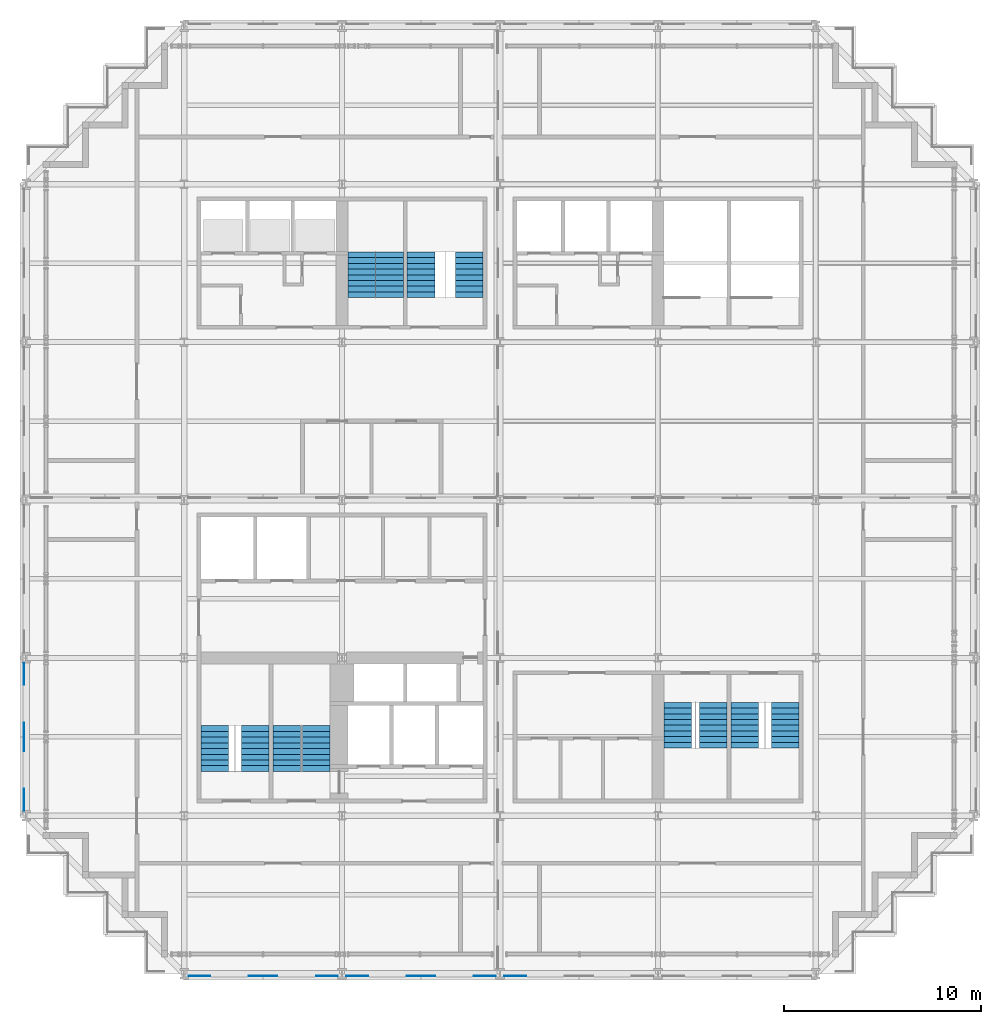
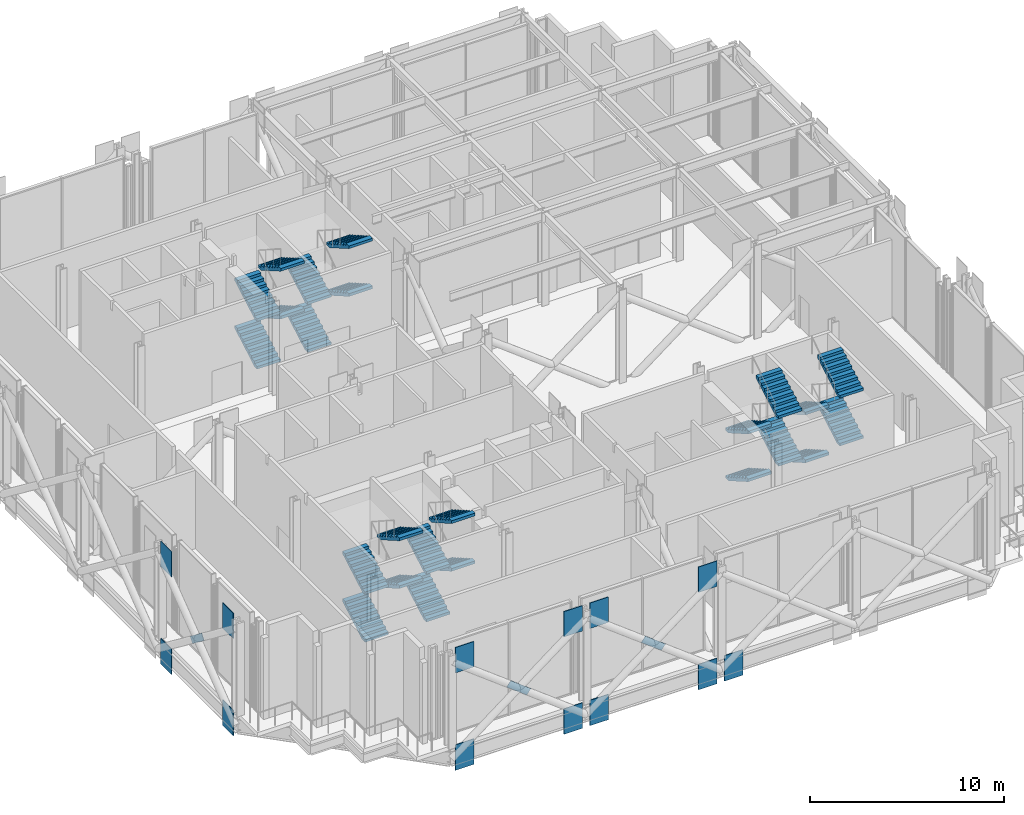
# One storey, part 21 of 25: 24 stair flights, 16 discrete accessories, 6 elements without a shape of their own.
"""IFC4 building model written with IfcOpenShell, lengths in metres."""

from ifc_helpers import new_model, si_unit, direction, frame, origin, origin_2d, place, context, subcontext, project, spatial, polyline, rectangle, outline, extrude, material, material_profile, profile_set, type_object, element, aggregate, save


model = new_model("IFC4")

# Units and contexts
model_context = context("Model", 3, precision=1e-05, world=origin(), true_north=direction((0.0, 1.0)))
body_context = subcontext(model_context, "Body", "Model", "MODEL_VIEW")
ifc_project = project(units=[si_unit("LENGTHUNIT", "METRE"), si_unit("AREAUNIT", "SQUARE_METRE"), si_unit("VOLUMEUNIT", "CUBIC_METRE"), si_unit("PLANEANGLEUNIT", "RADIAN"), si_unit("MASSUNIT", "GRAM", prefix="KILO")], contexts=[model_context])

# Site, building, storey
site_placement = place(None, origin())
site = spatial("IfcSite", under=ifc_project, at=site_placement, CompositionType="ELEMENT")
building_placement = place(site_placement, origin())
building = spatial("IfcBuilding", under=site, at=building_placement, Name="Immortelle Media Tower", CompositionType="ELEMENT")
storey_placement = place(building_placement, frame((0.0, 0.0, 114.0)))
storey = spatial("IfcBuildingStorey", under=building, at=storey_placement, Name="L22", CompositionType="ELEMENT", Elevation=114.0)

# Stair, stair flights
ifc_material_1 = material(Name="Steel ASTM A992 Gr 50", Category="steel")
stair_type = type_object("IfcStairType", Name="Stair with flights", PredefinedType="DOUBLE_RETURN_STAIR", material=ifc_material_1)
stair_1_placement = place(storey_placement, origin())
stair_1 = element("IfcStair", 1, at=stair_1_placement, inside=storey, type_object=stair_type, Name="Exit stair SW1", PredefinedType="DOUBLE_RETURN_STAIR")
stair_flight_type = type_object("IfcStairFlightType", Name="Stair flight 1400", PredefinedType="STRAIGHT", material=ifc_material_1)
stair_flight_1_placement = place(storey_placement, frame((9.550048828125, 10.25, 0.0), z_axis=(0.0, 0.0, 1.0), x_axis=(0.0, 1.0, 0.0)))
stair_flight_1 = element("IfcStairFlight", 2, at=stair_flight_1_placement, type_object=stair_flight_type, Name="ST SW1 flight 1", NumberOfRisers=9, NumberOfTreads=8, PredefinedType="STRAIGHT", RiserHeight=0.166666667, TreadLength=0.29, context=body_context, shape_type="SweptSolid", body=[
    extrude(outline(polyline([(0.0, 0.0), (0.0, 0.166748046875), (0.2900390625, 0.166748046875), (0.2900390625, 0.333251953125), (0.580078125, 0.333251953125), (0.580078125, 0.5), (0.8701171875, 0.5), (0.8701171875, 0.666748046875), (1.159912109375, 0.666748046875), (1.159912109375, 0.833251953125), (1.449951171875, 0.833251953125), (1.449951171875, 1.0), (1.739990234375, 1.0), (1.739990234375, 1.166748046875), (2.030029296875, 1.166748046875), (2.030029296875, 1.333251953125), (2.320068359375, 1.333251953125), (2.320068359375, 1.5), (2.320068359375, 1.160400390625), (0.30078125, 0.0), (0.0, 0.0)])), frame((0.0, 0.699951171875, 0.0), z_axis=(0.0, -1.0, 0.0), x_axis=(1.0, 0.0, 0.0)), (0.0, 0.0, 1.0), 1.39990234375),
])
stair_flight_2_placement = place(storey_placement, frame((11.60009765625, 12.570068359375, 1.5), z_axis=(0.0, 0.0, 1.0), x_axis=(0.0, -1.0, 0.0)))
stair_flight_2 = element("IfcStairFlight", 3, at=stair_flight_2_placement, type_object=stair_flight_type, Name="ST SW1 flight 2", NumberOfRisers=9, NumberOfTreads=8, PredefinedType="STRAIGHT", RiserHeight=0.166666667, TreadLength=0.29, context=body_context, shape_type="SweptSolid", body=[
    extrude(outline(polyline([(0.0, 0.0), (0.0, 0.166748046875), (0.2900390625, 0.166748046875), (0.2900390625, 0.333251953125), (0.580078125, 0.333251953125), (0.580078125, 0.5), (0.8701171875, 0.5), (0.8701171875, 0.666748046875), (1.159912109375, 0.666748046875), (1.159912109375, 0.833251953125), (1.449951171875, 0.833251953125), (1.449951171875, 1.0), (1.739990234375, 1.0), (1.739990234375, 1.166748046875), (2.030029296875, 1.166748046875), (2.030029296875, 1.333251953125), (2.320068359375, 1.333251953125), (2.320068359375, 1.5), (2.320068359375, 1.160400390625), (0.30078125, 0.0), (0.0, 0.0)])), frame((0.0, 0.699951171875, 0.0), z_axis=(0.0, -1.0, 0.0), x_axis=(1.0, 0.0, 0.0)), (0.0, 0.0, 1.0), 1.39990234375),
])
stair_flight_3_placement = place(storey_placement, frame((9.550048828125, 10.25, 3.0), z_axis=(0.0, 0.0, 1.0), x_axis=(0.0, 1.0, 0.0)))
stair_flight_3 = element("IfcStairFlight", 4, at=stair_flight_3_placement, type_object=stair_flight_type, Name="ST SW1 flight 3", NumberOfRisers=9, NumberOfTreads=8, PredefinedType="STRAIGHT", RiserHeight=0.166666667, TreadLength=0.29, context=body_context, shape_type="SweptSolid", body=[
    extrude(outline(polyline([(0.0, 0.0), (0.0, 0.166748046875), (0.2900390625, 0.166748046875), (0.2900390625, 0.333251953125), (0.580078125, 0.333251953125), (0.580078125, 0.5), (0.8701171875, 0.5), (0.8701171875, 0.666748046875), (1.159912109375, 0.666748046875), (1.159912109375, 0.833251953125), (1.449951171875, 0.833251953125), (1.449951171875, 1.0), (1.739990234375, 1.0), (1.739990234375, 1.166748046875), (2.030029296875, 1.166748046875), (2.030029296875, 1.333251953125), (2.320068359375, 1.333251953125), (2.320068359375, 1.5), (2.320068359375, 1.160400390625), (0.30078125, 0.0), (0.0, 0.0)])), frame((0.0, 0.699951171875, 0.0), z_axis=(0.0, -1.0, 0.0), x_axis=(1.0, 0.0, 0.0)), (0.0, 0.0, 1.0), 1.39990234375),
])
stair_flight_4_placement = place(storey_placement, frame((11.60009765625, 12.570068359375, 4.5), z_axis=(0.0, 0.0, 1.0), x_axis=(0.0, -1.0, 0.0)))
stair_flight_4 = element("IfcStairFlight", 5, at=stair_flight_4_placement, type_object=stair_flight_type, Name="ST SW1 flight 4", NumberOfRisers=9, NumberOfTreads=8, PredefinedType="STRAIGHT", RiserHeight=0.166666667, TreadLength=0.29, context=body_context, shape_type="SweptSolid", body=[
    extrude(outline(polyline([(0.0, 0.0), (0.0, 0.166748046875), (0.2900390625, 0.166748046875), (0.2900390625, 0.333251953125), (0.580078125, 0.333251953125), (0.580078125, 0.5), (0.8701171875, 0.5), (0.8701171875, 0.666748046875), (1.159912109375, 0.666748046875), (1.159912109375, 0.833251953125), (1.449951171875, 0.833251953125), (1.449951171875, 1.0), (1.739990234375, 1.0), (1.739990234375, 1.166748046875), (2.030029296875, 1.166748046875), (2.030029296875, 1.333251953125), (2.320068359375, 1.333251953125), (2.320068359375, 1.5), (2.320068359375, 1.160400390625), (0.30078125, 0.0), (0.0, 0.0)])), frame((0.0, 0.699951171875, 0.0), z_axis=(0.0, -1.0, 0.0), x_axis=(1.0, 0.0, 0.0)), (0.0, 0.0, 1.0), 1.39990234375),
])
aggregate(stair_1, [stair_flight_1, stair_flight_2, stair_flight_3, stair_flight_4])

stair_2_placement = place(storey_placement, origin())
stair_2 = element("IfcStair", 6, at=stair_2_placement, inside=storey, type_object=stair_type, Name="Exit stair SW2", PredefinedType="DOUBLE_RETURN_STAIR")
stair_flight_5_placement = place(storey_placement, frame((13.199951171875, 10.25, 0.0), z_axis=(0.0, 0.0, 1.0), x_axis=(0.0, 1.0, 0.0)))
stair_flight_5 = element("IfcStairFlight", 7, at=stair_flight_5_placement, type_object=stair_flight_type, Name="ST SW2 flight 1", NumberOfRisers=9, NumberOfTreads=8, PredefinedType="STRAIGHT", RiserHeight=0.166666667, TreadLength=0.29, context=body_context, shape_type="SweptSolid", body=[
    extrude(outline(polyline([(0.0, 0.0), (0.0, 0.166748046875), (0.2900390625, 0.166748046875), (0.2900390625, 0.333251953125), (0.580078125, 0.333251953125), (0.580078125, 0.5), (0.8701171875, 0.5), (0.8701171875, 0.666748046875), (1.159912109375, 0.666748046875), (1.159912109375, 0.833251953125), (1.449951171875, 0.833251953125), (1.449951171875, 1.0), (1.739990234375, 1.0), (1.739990234375, 1.166748046875), (2.030029296875, 1.166748046875), (2.030029296875, 1.333251953125), (2.320068359375, 1.333251953125), (2.320068359375, 1.5), (2.320068359375, 1.160400390625), (0.30078125, 0.0), (0.0, 0.0)])), frame((0.0, 0.699951171875, 0.0), z_axis=(0.0, -1.0, 0.0), x_axis=(1.0, 0.0, 0.0)), (0.0, 0.0, 1.0), 1.39990234375),
])
stair_flight_6_placement = place(storey_placement, frame((14.699951171875, 12.570068359375, 1.5), z_axis=(0.0, 0.0, 1.0), x_axis=(0.0, -1.0, 0.0)))
stair_flight_6 = element("IfcStairFlight", 8, at=stair_flight_6_placement, type_object=stair_flight_type, Name="ST SW2 flight 2", NumberOfRisers=9, NumberOfTreads=8, PredefinedType="STRAIGHT", RiserHeight=0.166666667, TreadLength=0.29, context=body_context, shape_type="SweptSolid", body=[
    extrude(outline(polyline([(0.0, 0.0), (0.0, 0.166748046875), (0.2900390625, 0.166748046875), (0.2900390625, 0.333251953125), (0.580078125, 0.333251953125), (0.580078125, 0.5), (0.8701171875, 0.5), (0.8701171875, 0.666748046875), (1.159912109375, 0.666748046875), (1.159912109375, 0.833251953125), (1.449951171875, 0.833251953125), (1.449951171875, 1.0), (1.739990234375, 1.0), (1.739990234375, 1.166748046875), (2.030029296875, 1.166748046875), (2.030029296875, 1.333251953125), (2.320068359375, 1.333251953125), (2.320068359375, 1.5), (2.320068359375, 1.160400390625), (0.30078125, 0.0), (0.0, 0.0)])), frame((0.0, 0.699951171875, 0.0), z_axis=(0.0, -1.0, 0.0), x_axis=(1.0, 0.0, 0.0)), (0.0, 0.0, 1.0), 1.39990234375),
])
stair_flight_7_placement = place(storey_placement, frame((13.199951171875, 10.25, 3.0), z_axis=(0.0, 0.0, 1.0), x_axis=(0.0, 1.0, 0.0)))
stair_flight_7 = element("IfcStairFlight", 9, at=stair_flight_7_placement, type_object=stair_flight_type, Name="ST SW2 flight 3", NumberOfRisers=9, NumberOfTreads=8, PredefinedType="STRAIGHT", RiserHeight=0.166666667, TreadLength=0.29, context=body_context, shape_type="SweptSolid", body=[
    extrude(outline(polyline([(0.0, 0.0), (0.0, 0.166748046875), (0.2900390625, 0.166748046875), (0.2900390625, 0.333251953125), (0.580078125, 0.333251953125), (0.580078125, 0.5), (0.8701171875, 0.5), (0.8701171875, 0.666748046875), (1.159912109375, 0.666748046875), (1.159912109375, 0.833251953125), (1.449951171875, 0.833251953125), (1.449951171875, 1.0), (1.739990234375, 1.0), (1.739990234375, 1.166748046875), (2.030029296875, 1.166748046875), (2.030029296875, 1.333251953125), (2.320068359375, 1.333251953125), (2.320068359375, 1.5), (2.320068359375, 1.160400390625), (0.30078125, 0.0), (0.0, 0.0)])), frame((0.0, 0.699951171875, 0.0), z_axis=(0.0, -1.0, 0.0), x_axis=(1.0, 0.0, 0.0)), (0.0, 0.0, 1.0), 1.39990234375),
])
stair_flight_8_placement = place(storey_placement, frame((14.699951171875, 12.570068359375, 4.5), z_axis=(0.0, 0.0, 1.0), x_axis=(0.0, -1.0, 0.0)))
stair_flight_8 = element("IfcStairFlight", 10, at=stair_flight_8_placement, type_object=stair_flight_type, Name="ST SW2 flight 4", NumberOfRisers=9, NumberOfTreads=8, PredefinedType="STRAIGHT", RiserHeight=0.166666667, TreadLength=0.29, context=body_context, shape_type="SweptSolid", body=[
    extrude(outline(polyline([(0.0, 0.0), (0.0, 0.166748046875), (0.2900390625, 0.166748046875), (0.2900390625, 0.333251953125), (0.580078125, 0.333251953125), (0.580078125, 0.5), (0.8701171875, 0.5), (0.8701171875, 0.666748046875), (1.159912109375, 0.666748046875), (1.159912109375, 0.833251953125), (1.449951171875, 0.833251953125), (1.449951171875, 1.0), (1.739990234375, 1.0), (1.739990234375, 1.166748046875), (2.030029296875, 1.166748046875), (2.030029296875, 1.333251953125), (2.320068359375, 1.333251953125), (2.320068359375, 1.5), (2.320068359375, 1.160400390625), (0.30078125, 0.0), (0.0, 0.0)])), frame((0.0, 0.699951171875, 0.0), z_axis=(0.0, -1.0, 0.0), x_axis=(1.0, 0.0, 0.0)), (0.0, 0.0, 1.0), 1.39990234375),
])
aggregate(stair_2, [stair_flight_5, stair_flight_6, stair_flight_7, stair_flight_8])

stair_3_placement = place(storey_placement, origin())
stair_3 = element("IfcStair", 11, at=stair_3_placement, inside=storey, type_object=stair_type, Name="Exit stair SE1", PredefinedType="DOUBLE_RETURN_STAIR")
stair_flight_9_placement = place(storey_placement, frame((33.0, 13.75, 0.0), z_axis=(0.0, 0.0, 1.0), x_axis=(0.0, -1.0, 0.0)))
stair_flight_9 = element("IfcStairFlight", 12, at=stair_flight_9_placement, type_object=stair_flight_type, Name="ST SE1 flight 1", NumberOfRisers=9, NumberOfTreads=8, PredefinedType="STRAIGHT", RiserHeight=0.166666667, TreadLength=0.29, context=body_context, shape_type="SweptSolid", body=[
    extrude(outline(polyline([(0.0, 0.0), (0.0, 0.166748046875), (0.2900390625, 0.166748046875), (0.2900390625, 0.333251953125), (0.580078125, 0.333251953125), (0.580078125, 0.5), (0.8701171875, 0.5), (0.8701171875, 0.666748046875), (1.159912109375, 0.666748046875), (1.159912109375, 0.833251953125), (1.449951171875, 0.833251953125), (1.449951171875, 1.0), (1.739990234375, 1.0), (1.739990234375, 1.166748046875), (2.030029296875, 1.166748046875), (2.030029296875, 1.333251953125), (2.320068359375, 1.333251953125), (2.320068359375, 1.5), (2.320068359375, 1.160400390625), (0.30078125, 0.0), (0.0, 0.0)])), frame((0.0, 0.699951171875, 0.0), z_axis=(0.0, -1.0, 0.0), x_axis=(1.0, 0.0, 0.0)), (0.0, 0.0, 1.0), 1.39990234375),
])
stair_flight_10_placement = place(storey_placement, frame((34.800048828125, 11.429931640625, 1.5), z_axis=(0.0, 0.0, 1.0), x_axis=(0.0, 1.0, 0.0)))
stair_flight_10 = element("IfcStairFlight", 13, at=stair_flight_10_placement, type_object=stair_flight_type, Name="ST SE1 flight 2", NumberOfRisers=9, NumberOfTreads=8, PredefinedType="STRAIGHT", RiserHeight=0.166666667, TreadLength=0.29, context=body_context, shape_type="SweptSolid", body=[
    extrude(outline(polyline([(0.0, 0.0), (0.0, 0.166748046875), (0.2900390625, 0.166748046875), (0.2900390625, 0.333251953125), (0.580078125, 0.333251953125), (0.580078125, 0.5), (0.8701171875, 0.5), (0.8701171875, 0.666748046875), (1.159912109375, 0.666748046875), (1.159912109375, 0.833251953125), (1.449951171875, 0.833251953125), (1.449951171875, 1.0), (1.739990234375, 1.0), (1.739990234375, 1.166748046875), (2.030029296875, 1.166748046875), (2.030029296875, 1.333251953125), (2.320068359375, 1.333251953125), (2.320068359375, 1.5), (2.320068359375, 1.160400390625), (0.30078125, 0.0), (0.0, 0.0)])), frame((0.0, 0.699951171875, 0.0), z_axis=(0.0, -1.0, 0.0), x_axis=(1.0, 0.0, 0.0)), (0.0, 0.0, 1.0), 1.39990234375),
])
stair_flight_11_placement = place(storey_placement, frame((33.0, 13.75, 3.0), z_axis=(0.0, 0.0, 1.0), x_axis=(0.0, -1.0, 0.0)))
stair_flight_11 = element("IfcStairFlight", 14, at=stair_flight_11_placement, type_object=stair_flight_type, Name="ST SE1 flight 3", NumberOfRisers=9, NumberOfTreads=8, PredefinedType="STRAIGHT", RiserHeight=0.166666667, TreadLength=0.29, context=body_context, shape_type="SweptSolid", body=[
    extrude(outline(polyline([(0.0, 0.0), (0.0, 0.166748046875), (0.2900390625, 0.166748046875), (0.2900390625, 0.333251953125), (0.580078125, 0.333251953125), (0.580078125, 0.5), (0.8701171875, 0.5), (0.8701171875, 0.666748046875), (1.159912109375, 0.666748046875), (1.159912109375, 0.833251953125), (1.449951171875, 0.833251953125), (1.449951171875, 1.0), (1.739990234375, 1.0), (1.739990234375, 1.166748046875), (2.030029296875, 1.166748046875), (2.030029296875, 1.333251953125), (2.320068359375, 1.333251953125), (2.320068359375, 1.5), (2.320068359375, 1.160400390625), (0.30078125, 0.0), (0.0, 0.0)])), frame((0.0, 0.699951171875, 0.0), z_axis=(0.0, -1.0, 0.0), x_axis=(1.0, 0.0, 0.0)), (0.0, 0.0, 1.0), 1.39990234375),
])
stair_flight_12_placement = place(storey_placement, frame((34.800048828125, 11.429931640625, 4.5), z_axis=(0.0, 0.0, 1.0), x_axis=(0.0, 1.0, 0.0)))
stair_flight_12 = element("IfcStairFlight", 15, at=stair_flight_12_placement, type_object=stair_flight_type, Name="ST SE1 flight 4", NumberOfRisers=9, NumberOfTreads=8, PredefinedType="STRAIGHT", RiserHeight=0.166666667, TreadLength=0.29, context=body_context, shape_type="SweptSolid", body=[
    extrude(outline(polyline([(0.0, 0.0), (0.0, 0.166748046875), (0.2900390625, 0.166748046875), (0.2900390625, 0.333251953125), (0.580078125, 0.333251953125), (0.580078125, 0.5), (0.8701171875, 0.5), (0.8701171875, 0.666748046875), (1.159912109375, 0.666748046875), (1.159912109375, 0.833251953125), (1.449951171875, 0.833251953125), (1.449951171875, 1.0), (1.739990234375, 1.0), (1.739990234375, 1.166748046875), (2.030029296875, 1.166748046875), (2.030029296875, 1.333251953125), (2.320068359375, 1.333251953125), (2.320068359375, 1.5), (2.320068359375, 1.160400390625), (0.30078125, 0.0), (0.0, 0.0)])), frame((0.0, 0.699951171875, 0.0), z_axis=(0.0, -1.0, 0.0), x_axis=(1.0, 0.0, 0.0)), (0.0, 0.0, 1.0), 1.39990234375),
])
aggregate(stair_3, [stair_flight_9, stair_flight_10, stair_flight_11, stair_flight_12])

stair_4_placement = place(storey_placement, origin())
stair_4 = element("IfcStair", 16, at=stair_4_placement, inside=storey, type_object=stair_type, Name="Exit stair SE2", PredefinedType="DOUBLE_RETURN_STAIR")
stair_flight_13_placement = place(storey_placement, frame((36.39990234375, 13.75, 0.0), z_axis=(0.0, 0.0, 1.0), x_axis=(0.0, -1.0, 0.0)))
stair_flight_13 = element("IfcStairFlight", 17, at=stair_flight_13_placement, type_object=stair_flight_type, Name="ST SE2 flight 1", NumberOfRisers=9, NumberOfTreads=8, PredefinedType="STRAIGHT", RiserHeight=0.166666667, TreadLength=0.29, context=body_context, shape_type="SweptSolid", body=[
    extrude(outline(polyline([(0.0, 0.0), (0.0, 0.166748046875), (0.2900390625, 0.166748046875), (0.2900390625, 0.333251953125), (0.580078125, 0.333251953125), (0.580078125, 0.5), (0.8701171875, 0.5), (0.8701171875, 0.666748046875), (1.159912109375, 0.666748046875), (1.159912109375, 0.833251953125), (1.449951171875, 0.833251953125), (1.449951171875, 1.0), (1.739990234375, 1.0), (1.739990234375, 1.166748046875), (2.030029296875, 1.166748046875), (2.030029296875, 1.333251953125), (2.320068359375, 1.333251953125), (2.320068359375, 1.5), (2.320068359375, 1.160400390625), (0.30078125, 0.0), (0.0, 0.0)])), frame((0.0, 0.699951171875, 0.0), z_axis=(0.0, -1.0, 0.0), x_axis=(1.0, 0.0, 0.0)), (0.0, 0.0, 1.0), 1.39990234375),
])
stair_flight_14_placement = place(storey_placement, frame((38.449951171875, 11.429931640625, 1.5), z_axis=(0.0, 0.0, 1.0), x_axis=(0.0, 1.0, 0.0)))
stair_flight_14 = element("IfcStairFlight", 18, at=stair_flight_14_placement, type_object=stair_flight_type, Name="ST SE2 flight 2", NumberOfRisers=9, NumberOfTreads=8, PredefinedType="STRAIGHT", RiserHeight=0.166666667, TreadLength=0.29, context=body_context, shape_type="SweptSolid", body=[
    extrude(outline(polyline([(0.0, 0.0), (0.0, 0.166748046875), (0.2900390625, 0.166748046875), (0.2900390625, 0.333251953125), (0.580078125, 0.333251953125), (0.580078125, 0.5), (0.8701171875, 0.5), (0.8701171875, 0.666748046875), (1.159912109375, 0.666748046875), (1.159912109375, 0.833251953125), (1.449951171875, 0.833251953125), (1.449951171875, 1.0), (1.739990234375, 1.0), (1.739990234375, 1.166748046875), (2.030029296875, 1.166748046875), (2.030029296875, 1.333251953125), (2.320068359375, 1.333251953125), (2.320068359375, 1.5), (2.320068359375, 1.160400390625), (0.30078125, 0.0), (0.0, 0.0)])), frame((0.0, 0.699951171875, 0.0), z_axis=(0.0, -1.0, 0.0), x_axis=(1.0, 0.0, 0.0)), (0.0, 0.0, 1.0), 1.39990234375),
])
stair_flight_15_placement = place(storey_placement, frame((36.39990234375, 13.75, 3.0), z_axis=(0.0, 0.0, 1.0), x_axis=(0.0, -1.0, 0.0)))
stair_flight_15 = element("IfcStairFlight", 19, at=stair_flight_15_placement, type_object=stair_flight_type, Name="ST SE2 flight 3", NumberOfRisers=9, NumberOfTreads=8, PredefinedType="STRAIGHT", RiserHeight=0.166666667, TreadLength=0.29, context=body_context, shape_type="SweptSolid", body=[
    extrude(outline(polyline([(0.0, 0.0), (0.0, 0.166748046875), (0.2900390625, 0.166748046875), (0.2900390625, 0.333251953125), (0.580078125, 0.333251953125), (0.580078125, 0.5), (0.8701171875, 0.5), (0.8701171875, 0.666748046875), (1.159912109375, 0.666748046875), (1.159912109375, 0.833251953125), (1.449951171875, 0.833251953125), (1.449951171875, 1.0), (1.739990234375, 1.0), (1.739990234375, 1.166748046875), (2.030029296875, 1.166748046875), (2.030029296875, 1.333251953125), (2.320068359375, 1.333251953125), (2.320068359375, 1.5), (2.320068359375, 1.160400390625), (0.30078125, 0.0), (0.0, 0.0)])), frame((0.0, 0.699951171875, 0.0), z_axis=(0.0, -1.0, 0.0), x_axis=(1.0, 0.0, 0.0)), (0.0, 0.0, 1.0), 1.39990234375),
])
stair_flight_16_placement = place(storey_placement, frame((38.449951171875, 11.429931640625, 4.5), z_axis=(0.0, 0.0, 1.0), x_axis=(0.0, 1.0, 0.0)))
stair_flight_16 = element("IfcStairFlight", 20, at=stair_flight_16_placement, type_object=stair_flight_type, Name="ST SE2 flight 4", NumberOfRisers=9, NumberOfTreads=8, PredefinedType="STRAIGHT", RiserHeight=0.166666667, TreadLength=0.29, context=body_context, shape_type="SweptSolid", body=[
    extrude(outline(polyline([(0.0, 0.0), (0.0, 0.166748046875), (0.2900390625, 0.166748046875), (0.2900390625, 0.333251953125), (0.580078125, 0.333251953125), (0.580078125, 0.5), (0.8701171875, 0.5), (0.8701171875, 0.666748046875), (1.159912109375, 0.666748046875), (1.159912109375, 0.833251953125), (1.449951171875, 0.833251953125), (1.449951171875, 1.0), (1.739990234375, 1.0), (1.739990234375, 1.166748046875), (2.030029296875, 1.166748046875), (2.030029296875, 1.333251953125), (2.320068359375, 1.333251953125), (2.320068359375, 1.5), (2.320068359375, 1.160400390625), (0.30078125, 0.0), (0.0, 0.0)])), frame((0.0, 0.699951171875, 0.0), z_axis=(0.0, -1.0, 0.0), x_axis=(1.0, 0.0, 0.0)), (0.0, 0.0, 1.0), 1.39990234375),
])
aggregate(stair_4, [stair_flight_13, stair_flight_14, stair_flight_15, stair_flight_16])

stair_5_placement = place(storey_placement, origin())
stair_5 = element("IfcStair", 21, at=stair_5_placement, inside=storey, type_object=stair_type, Name="Exit stair NW1", PredefinedType="DOUBLE_RETURN_STAIR")
stair_flight_17_placement = place(storey_placement, frame((17.0, 34.25, 0.0), z_axis=(0.0, 0.0, 1.0), x_axis=(0.0, 1.0, 0.0)))
stair_flight_17 = element("IfcStairFlight", 22, at=stair_flight_17_placement, type_object=stair_flight_type, Name="ST NW1 flight 1", NumberOfRisers=9, NumberOfTreads=8, PredefinedType="STRAIGHT", RiserHeight=0.166666667, TreadLength=0.29, context=body_context, shape_type="SweptSolid", body=[
    extrude(outline(polyline([(0.0, 0.0), (0.0, 0.166748046875), (0.2900390625, 0.166748046875), (0.2900390625, 0.333251953125), (0.580078125, 0.333251953125), (0.580078125, 0.5), (0.8701171875, 0.5), (0.8701171875, 0.666748046875), (1.159912109375, 0.666748046875), (1.159912109375, 0.833251953125), (1.449951171875, 0.833251953125), (1.449951171875, 1.0), (1.739990234375, 1.0), (1.739990234375, 1.166748046875), (2.030029296875, 1.166748046875), (2.030029296875, 1.333251953125), (2.320068359375, 1.333251953125), (2.320068359375, 1.5), (2.320068359375, 1.160400390625), (0.30078125, 0.0), (0.0, 0.0)])), frame((0.0, 0.699951171875, 0.0), z_axis=(0.0, -1.0, 0.0), x_axis=(1.0, 0.0, 0.0)), (0.0, 0.0, 1.0), 1.39990234375),
])
stair_flight_18_placement = place(storey_placement, frame((18.39990234375, 36.570068359375, 1.5), z_axis=(0.0, 0.0, 1.0), x_axis=(0.0, -1.0, 0.0)))
stair_flight_18 = element("IfcStairFlight", 23, at=stair_flight_18_placement, type_object=stair_flight_type, Name="ST NW1 flight 2", NumberOfRisers=9, NumberOfTreads=8, PredefinedType="STRAIGHT", RiserHeight=0.166666667, TreadLength=0.29, context=body_context, shape_type="SweptSolid", body=[
    extrude(outline(polyline([(0.0, 0.0), (0.0, 0.166748046875), (0.2900390625, 0.166748046875), (0.2900390625, 0.333251953125), (0.580078125, 0.333251953125), (0.580078125, 0.5), (0.8701171875, 0.5), (0.8701171875, 0.666748046875), (1.159912109375, 0.666748046875), (1.159912109375, 0.833251953125), (1.449951171875, 0.833251953125), (1.449951171875, 1.0), (1.739990234375, 1.0), (1.739990234375, 1.166748046875), (2.030029296875, 1.166748046875), (2.030029296875, 1.333251953125), (2.320068359375, 1.333251953125), (2.320068359375, 1.5), (2.320068359375, 1.160400390625), (0.30078125, 0.0), (0.0, 0.0)])), frame((0.0, 0.699951171875, 0.0), z_axis=(0.0, -1.0, 0.0), x_axis=(1.0, 0.0, 0.0)), (0.0, 0.0, 1.0), 1.39990234375),
])
stair_flight_19_placement = place(storey_placement, frame((17.0, 34.25, 3.0), z_axis=(0.0, 0.0, 1.0), x_axis=(0.0, 1.0, 0.0)))
stair_flight_19 = element("IfcStairFlight", 24, at=stair_flight_19_placement, type_object=stair_flight_type, Name="ST NW1 flight 3", NumberOfRisers=9, NumberOfTreads=8, PredefinedType="STRAIGHT", RiserHeight=0.166666667, TreadLength=0.29, context=body_context, shape_type="SweptSolid", body=[
    extrude(outline(polyline([(0.0, 0.0), (0.0, 0.166748046875), (0.2900390625, 0.166748046875), (0.2900390625, 0.333251953125), (0.580078125, 0.333251953125), (0.580078125, 0.5), (0.8701171875, 0.5), (0.8701171875, 0.666748046875), (1.159912109375, 0.666748046875), (1.159912109375, 0.833251953125), (1.449951171875, 0.833251953125), (1.449951171875, 1.0), (1.739990234375, 1.0), (1.739990234375, 1.166748046875), (2.030029296875, 1.166748046875), (2.030029296875, 1.333251953125), (2.320068359375, 1.333251953125), (2.320068359375, 1.5), (2.320068359375, 1.160400390625), (0.30078125, 0.0), (0.0, 0.0)])), frame((0.0, 0.699951171875, 0.0), z_axis=(0.0, -1.0, 0.0), x_axis=(1.0, 0.0, 0.0)), (0.0, 0.0, 1.0), 1.39990234375),
])
stair_flight_20_placement = place(storey_placement, frame((18.39990234375, 36.570068359375, 4.5), z_axis=(0.0, 0.0, 1.0), x_axis=(0.0, -1.0, 0.0)))
stair_flight_20 = element("IfcStairFlight", 25, at=stair_flight_20_placement, type_object=stair_flight_type, Name="ST NW1 flight 4", NumberOfRisers=9, NumberOfTreads=8, PredefinedType="STRAIGHT", RiserHeight=0.166666667, TreadLength=0.29, context=body_context, shape_type="SweptSolid", body=[
    extrude(outline(polyline([(0.0, 0.0), (0.0, 0.166748046875), (0.2900390625, 0.166748046875), (0.2900390625, 0.333251953125), (0.580078125, 0.333251953125), (0.580078125, 0.5), (0.8701171875, 0.5), (0.8701171875, 0.666748046875), (1.159912109375, 0.666748046875), (1.159912109375, 0.833251953125), (1.449951171875, 0.833251953125), (1.449951171875, 1.0), (1.739990234375, 1.0), (1.739990234375, 1.166748046875), (2.030029296875, 1.166748046875), (2.030029296875, 1.333251953125), (2.320068359375, 1.333251953125), (2.320068359375, 1.5), (2.320068359375, 1.160400390625), (0.30078125, 0.0), (0.0, 0.0)])), frame((0.0, 0.699951171875, 0.0), z_axis=(0.0, -1.0, 0.0), x_axis=(1.0, 0.0, 0.0)), (0.0, 0.0, 1.0), 1.39990234375),
])
aggregate(stair_5, [stair_flight_17, stair_flight_18, stair_flight_19, stair_flight_20])

stair_6_placement = place(storey_placement, origin())
stair_6 = element("IfcStair", 26, at=stair_6_placement, inside=storey, type_object=stair_type, Name="Exit stair NW2", PredefinedType="DOUBLE_RETURN_STAIR")
stair_flight_21_placement = place(storey_placement, frame((20.0, 34.25, 0.0), z_axis=(0.0, 0.0, 1.0), x_axis=(0.0, 1.0, 0.0)))
stair_flight_21 = element("IfcStairFlight", 27, at=stair_flight_21_placement, type_object=stair_flight_type, Name="ST NW2 flight 1", NumberOfRisers=9, NumberOfTreads=8, PredefinedType="STRAIGHT", RiserHeight=0.166666667, TreadLength=0.29, context=body_context, shape_type="SweptSolid", body=[
    extrude(outline(polyline([(0.0, 0.0), (0.0, 0.166748046875), (0.2900390625, 0.166748046875), (0.2900390625, 0.333251953125), (0.580078125, 0.333251953125), (0.580078125, 0.5), (0.8701171875, 0.5), (0.8701171875, 0.666748046875), (1.159912109375, 0.666748046875), (1.159912109375, 0.833251953125), (1.449951171875, 0.833251953125), (1.449951171875, 1.0), (1.739990234375, 1.0), (1.739990234375, 1.166748046875), (2.030029296875, 1.166748046875), (2.030029296875, 1.333251953125), (2.320068359375, 1.333251953125), (2.320068359375, 1.5), (2.320068359375, 1.160400390625), (0.30078125, 0.0), (0.0, 0.0)])), frame((0.0, 0.699951171875, 0.0), z_axis=(0.0, -1.0, 0.0), x_axis=(1.0, 0.0, 0.0)), (0.0, 0.0, 1.0), 1.39990234375),
])
stair_flight_22_placement = place(storey_placement, frame((22.449951171875, 36.570068359375, 1.5), z_axis=(0.0, 0.0, 1.0), x_axis=(0.0, -1.0, 0.0)))
stair_flight_22 = element("IfcStairFlight", 28, at=stair_flight_22_placement, type_object=stair_flight_type, Name="ST NW2 flight 2", NumberOfRisers=9, NumberOfTreads=8, PredefinedType="STRAIGHT", RiserHeight=0.166666667, TreadLength=0.29, context=body_context, shape_type="SweptSolid", body=[
    extrude(outline(polyline([(0.0, 0.0), (0.0, 0.166748046875), (0.2900390625, 0.166748046875), (0.2900390625, 0.333251953125), (0.580078125, 0.333251953125), (0.580078125, 0.5), (0.8701171875, 0.5), (0.8701171875, 0.666748046875), (1.159912109375, 0.666748046875), (1.159912109375, 0.833251953125), (1.449951171875, 0.833251953125), (1.449951171875, 1.0), (1.739990234375, 1.0), (1.739990234375, 1.166748046875), (2.030029296875, 1.166748046875), (2.030029296875, 1.333251953125), (2.320068359375, 1.333251953125), (2.320068359375, 1.5), (2.320068359375, 1.160400390625), (0.30078125, 0.0), (0.0, 0.0)])), frame((0.0, 0.699951171875, 0.0), z_axis=(0.0, -1.0, 0.0), x_axis=(1.0, 0.0, 0.0)), (0.0, 0.0, 1.0), 1.39990234375),
])
stair_flight_23_placement = place(storey_placement, frame((20.0, 34.25, 3.0), z_axis=(0.0, 0.0, 1.0), x_axis=(0.0, 1.0, 0.0)))
stair_flight_23 = element("IfcStairFlight", 29, at=stair_flight_23_placement, type_object=stair_flight_type, Name="ST NW2 flight 3", NumberOfRisers=9, NumberOfTreads=8, PredefinedType="STRAIGHT", RiserHeight=0.166666667, TreadLength=0.29, context=body_context, shape_type="SweptSolid", body=[
    extrude(outline(polyline([(0.0, 0.0), (0.0, 0.166748046875), (0.2900390625, 0.166748046875), (0.2900390625, 0.333251953125), (0.580078125, 0.333251953125), (0.580078125, 0.5), (0.8701171875, 0.5), (0.8701171875, 0.666748046875), (1.159912109375, 0.666748046875), (1.159912109375, 0.833251953125), (1.449951171875, 0.833251953125), (1.449951171875, 1.0), (1.739990234375, 1.0), (1.739990234375, 1.166748046875), (2.030029296875, 1.166748046875), (2.030029296875, 1.333251953125), (2.320068359375, 1.333251953125), (2.320068359375, 1.5), (2.320068359375, 1.160400390625), (0.30078125, 0.0), (0.0, 0.0)])), frame((0.0, 0.699951171875, 0.0), z_axis=(0.0, -1.0, 0.0), x_axis=(1.0, 0.0, 0.0)), (0.0, 0.0, 1.0), 1.39990234375),
])
stair_flight_24_placement = place(storey_placement, frame((22.449951171875, 36.570068359375, 4.5), z_axis=(0.0, 0.0, 1.0), x_axis=(0.0, -1.0, 0.0)))
stair_flight_24 = element("IfcStairFlight", 30, at=stair_flight_24_placement, type_object=stair_flight_type, Name="ST NW2 flight 4", NumberOfRisers=9, NumberOfTreads=8, PredefinedType="STRAIGHT", RiserHeight=0.166666667, TreadLength=0.29, context=body_context, shape_type="SweptSolid", body=[
    extrude(outline(polyline([(0.0, 0.0), (0.0, 0.166748046875), (0.2900390625, 0.166748046875), (0.2900390625, 0.333251953125), (0.580078125, 0.333251953125), (0.580078125, 0.5), (0.8701171875, 0.5), (0.8701171875, 0.666748046875), (1.159912109375, 0.666748046875), (1.159912109375, 0.833251953125), (1.449951171875, 0.833251953125), (1.449951171875, 1.0), (1.739990234375, 1.0), (1.739990234375, 1.166748046875), (2.030029296875, 1.166748046875), (2.030029296875, 1.333251953125), (2.320068359375, 1.333251953125), (2.320068359375, 1.5), (2.320068359375, 1.160400390625), (0.30078125, 0.0), (0.0, 0.0)])), frame((0.0, 0.699951171875, 0.0), z_axis=(0.0, -1.0, 0.0), x_axis=(1.0, 0.0, 0.0)), (0.0, 0.0, 1.0), 1.39990234375),
])
aggregate(stair_6, [stair_flight_21, stair_flight_22, stair_flight_23, stair_flight_24])

# Discrete accessories
ifc_material_2 = material(Name="Steel ASTM A572 Gr 50", Category="steel")
ifc_material_profile_1 = material_profile(ifc_material_2, rectangle(XDim=0.02392578125, YDim=0.406005859375, at=origin_2d()), Name="PL 24 x 406")
ifc_profile_set_1 = profile_set([ifc_material_profile_1], Name="Steel ASTM A572 Gr 50")
discrete_accessory_type_1 = type_object("IfcDiscreteAccessoryType", Name="Crossing plate XP-BT1 1500 x 406 x 24", PredefinedType="USERDEFINED", material=ifc_profile_set_1)
for number, where, z_axis, x_axis, name in (
    (31, (-0.113037109375, 11.404052734375, 2.7861328125), (0.0, 0.794616478363, -0.607111729679), (-1.0, 0.0, 0.0), "Crossing plate XP-BT1 of Belt truss 1/B-C A and Belt truss 1/B-C B"),
    (32, (11.404052734375, -0.113037109375, 2.7861328125), (0.794616478363, 0.0, -0.607111729679), (0.0, 1.0, 0.0), "Crossing plate XP-BT1 of Belt truss A/2-3 A and Belt truss A/2-3 B"),
    (33, (19.404052734375, -0.113037109375, 2.7861328125), (0.794616478363, 0.0, -0.607111729679), (0.0, 1.0, 0.0), "Crossing plate XP-BT1 of Belt truss A/3-4 A and Belt truss A/3-4 B"),
):
    element("IfcDiscreteAccessory", number, at=place(storey_placement, frame(where, z_axis=z_axis, x_axis=x_axis)), inside=storey, type_object=discrete_accessory_type_1, Name=name, ObjectType="CROSSING PLATE", PredefinedType="USERDEFINED", context=body_context, shape_type="SweptSolid", body=[
        extrude(rectangle(XDim=0.02392578125, YDim=0.406005859375, at=origin_2d()), origin(), (0.0, 0.0, 1.0), 1.5),
    ])
ifc_material_profile_2 = material_profile(ifc_material_2, rectangle(XDim=0.0400390625, YDim=1.60009765625, at=origin_2d()), Name="PL 40 x 1600")
ifc_profile_set_2 = profile_set([ifc_material_profile_2], Name="Steel ASTM A572 Gr 50")
discrete_accessory_type_2 = type_object("IfcDiscreteAccessoryType", Name="Gusset plate GP2 1100 x 1600 x 40", PredefinedType="USERDEFINED", material=ifc_profile_set_2)
for number, where, z_axis, x_axis, name in (
    (34, (-0.113037109375, 8.265380859375, -0.72509765625), (0.0, 1.0, 0.0), (-1.0, 0.0, 0.0), "Gusset plate GP2, lower end of Belt truss 1/B-C A"),
    (35, (-0.113037109375, 15.734619140625, 5.386474609375), (0.0, -1.0, 0.0), (1.0, 0.0, 0.0), "Gusset plate GP2, upper end of Belt truss 1/B-C A"),
    (36, (-0.113037109375, 15.734619140625, -0.72509765625), (0.0, -1.0, 0.0), (1.0, 0.0, 0.0), "Gusset plate GP2, lower end of Belt truss 1/B-C B"),
    (37, (-0.113037109375, 8.265380859375, 5.386474609375), (0.0, 1.0, 0.0), (-1.0, 0.0, 0.0), "Gusset plate GP2, upper end of Belt truss 1/B-C B"),
    (38, (8.220947265625, -0.113037109375, -0.72509765625), (1.0, 0.0, 0.0), (0.0, 1.0, 0.0), "Gusset plate GP2, lower end of Belt truss A/2-3 A"),
    (39, (15.779052734375, -0.113037109375, 5.386474609375), (-1.0, 0.0, 0.0), (0.0, -1.0, 0.0), "Gusset plate GP2, upper end of Belt truss A/2-3 A"),
    (40, (15.779052734375, -0.113037109375, -0.72509765625), (-1.0, 0.0, 0.0), (0.0, -1.0, 0.0), "Gusset plate GP2, lower end of Belt truss A/2-3 B"),
    (41, (8.220947265625, -0.113037109375, 5.386474609375), (1.0, 0.0, 0.0), (0.0, 1.0, 0.0), "Gusset plate GP2, upper end of Belt truss A/2-3 B"),
    (42, (16.220947265625, -0.113037109375, -0.72509765625), (1.0, 0.0, 0.0), (0.0, 1.0, 0.0), "Gusset plate GP2, lower end of Belt truss A/3-4 A"),
    (43, (23.779052734375, -0.113037109375, 5.386474609375), (-1.0, 0.0, 0.0), (0.0, -1.0, 0.0), "Gusset plate GP2, upper end of Belt truss A/3-4 A"),
    (44, (23.779052734375, -0.113037109375, -0.72509765625), (-1.0, 0.0, 0.0), (0.0, -1.0, 0.0), "Gusset plate GP2, lower end of Belt truss A/3-4 B"),
    (45, (16.220947265625, -0.113037109375, 5.386474609375), (1.0, 0.0, 0.0), (0.0, 1.0, 0.0), "Gusset plate GP2, upper end of Belt truss A/3-4 B"),
    (46, (24.220947265625, -0.113037109375, -0.72509765625), (1.0, 0.0, 0.0), (0.0, 1.0, 0.0), "Gusset plate GP2, lower end of Belt truss A/4-5 A"),
):
    element("IfcDiscreteAccessory", number, at=place(storey_placement, frame(where, z_axis=z_axis, x_axis=x_axis)), inside=storey, type_object=discrete_accessory_type_2, Name=name, ObjectType="GUSSET PLATE", PredefinedType="USERDEFINED", context=body_context, shape_type="SweptSolid", body=[
        extrude(rectangle(XDim=0.0400390625, YDim=1.60009765625, at=origin_2d()), origin(), (0.0, 0.0, 1.0), 1.10009765625),
    ])

save(model, "model.ifc")
